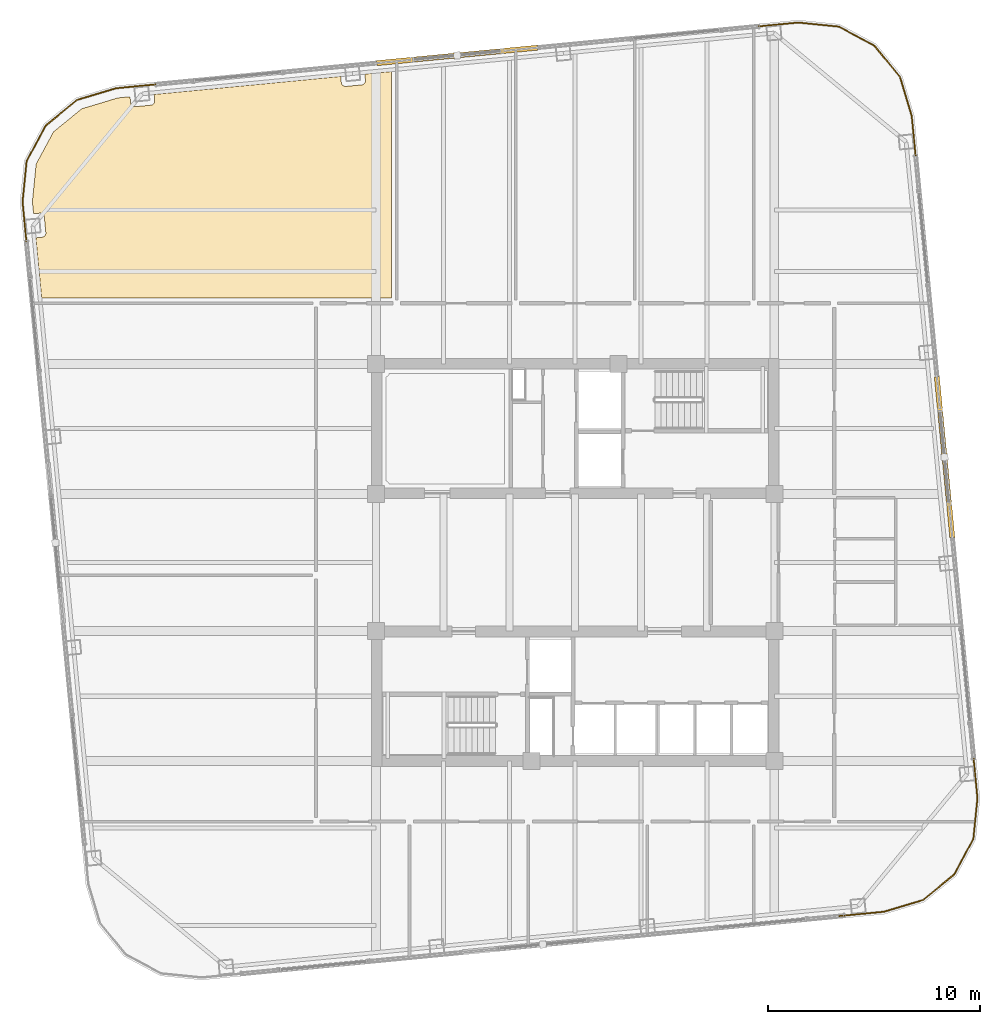
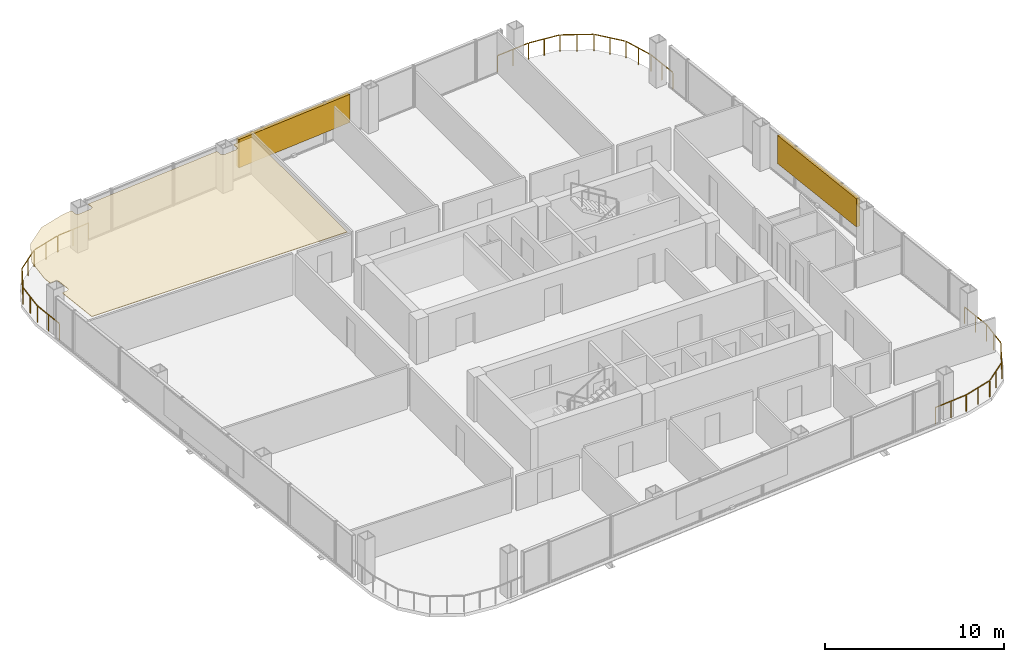
# One storey, part 22 of 22: 4 railings, 2 shading devices, 1 covering.
"""IFC4 building model written with IfcOpenShell, lengths in metres."""

import ifcopenshell
import ifcopenshell.guid

model = None  # the IFC model being written
_history = None  # IfcOwnerHistory: only IFC2X3 demands one
_inside = {}  # id of a spatial element -> (the spatial element, [elements in it])
_under = {}  # id of a project, library or spatial element -> (it, [spatial elements below it])
_declared = {}  # id of a project -> (the project, [libraries it declares])
_typed = {}  # id of a type object -> (the type object, [elements of that type])
_made_of = {}  # id of a material, layer set ... -> (it, [elements and type objects made of it])


def new_model(schema):
    """Start an empty IFC model of exactly this schema.

    Asked for "IFC4X3", IfcOpenShell would pick the latest addendum, in which some entities
    have other attributes; the version numbers below select the first issue.
    IFC2X3 requires an IfcOwnerHistory on every rooted entity: one is made here for all.
    """
    global model, _history
    if schema == "IFC4X3":
        model = ifcopenshell.file(schema_version=(4, 3, 0, 0))
    else:
        model = ifcopenshell.file(schema=schema)
    _inside.clear()
    _under.clear()
    _declared.clear()
    _typed.clear()
    _made_of.clear()
    _history = None
    if model.schema == "IFC2X3":
        org = make("IfcOrganization", Name="unknown")
        user = make(
            "IfcPersonAndOrganization",
            ThePerson=make("IfcPerson", FamilyName="unknown"),
            TheOrganization=org,
        )
        app = make(
            "IfcApplication",
            ApplicationDeveloper=org,
            Version="unknown",
            ApplicationFullName="unknown",
            ApplicationIdentifier="unknown",
        )
        _history = make(
            "IfcOwnerHistory",
            OwningUser=user,
            OwningApplication=app,
            ChangeAction="ADDED",
            CreationDate=0,
        )
    return model


def make(cls, **values):
    """One entity of the class cls with the attributes given. An attribute that is None is left unset."""
    return model.create_entity(
        cls, **{name: value for name, value in values.items() if value is not None}
    )


def rooted(cls, **values):
    """An entity with a GlobalId (a new one), such as an element, a storey or a relation."""
    return make(cls, GlobalId=ifcopenshell.guid.new(), OwnerHistory=_history, **values)


def si_unit(unit_type, name, prefix=None):
    """IfcSIUnit, for example si_unit("LENGTHUNIT", "METRE", prefix="MILLI")."""
    return make("IfcSIUnit", UnitType=unit_type, Prefix=prefix, Name=name)


def assignment(units):
    """IfcUnitAssignment: the units of a project."""
    return None if units is None else make("IfcUnitAssignment", Units=units)


def point(xyz):
    """IfcCartesianPoint."""
    return None if xyz is None else make("IfcCartesianPoint", Coordinates=xyz)


def direction(xyz):
    """IfcDirection."""
    return None if xyz is None else make("IfcDirection", DirectionRatios=xyz)


def frame(location, z_axis=None, x_axis=None):
    """IfcAxis2Placement3D, a coordinate frame: its origin and axes. An axis left out is left unset."""
    return make(
        "IfcAxis2Placement3D",
        Location=point(location),
        Axis=direction(z_axis),
        RefDirection=direction(x_axis),
    )


def frame_2d(location, x_axis=None):
    """IfcAxis2Placement2D, a coordinate frame in the plane: its origin and x axis."""
    return make(
        "IfcAxis2Placement2D", Location=point(location), RefDirection=direction(x_axis)
    )


def origin():
    """The frame at (0, 0, 0) with its axes left unset."""
    return frame((0.0, 0.0, 0.0))


def origin_2d():
    """The frame at (0, 0) in the plane with its x axis left unset."""
    return frame_2d((0.0, 0.0))


def place(relative_to, where):
    """IfcLocalPlacement: puts the frame where relative to a parent placement (None: the world)."""
    return make(
        "IfcLocalPlacement", PlacementRelTo=relative_to, RelativePlacement=where
    )


def context(
    kind, dimensions, precision=None, world=None, true_north=None, identifier=None
):
    """IfcGeometricRepresentationContext, for example the 3D "Model" context."""
    return make(
        "IfcGeometricRepresentationContext",
        ContextIdentifier=identifier,
        ContextType=kind,
        CoordinateSpaceDimension=dimensions,
        Precision=precision,
        WorldCoordinateSystem=world,
        TrueNorth=true_north,
    )


def subcontext(parent, identifier, kind, view, scale=None):
    """IfcGeometricRepresentationSubContext, for example "Body" below "Model"."""
    return make(
        "IfcGeometricRepresentationSubContext",
        ContextIdentifier=identifier,
        ContextType=kind,
        ParentContext=parent,
        TargetScale=scale,
        TargetView=view,
    )


def project(units=None, contexts=None):
    """IfcProject with its units and contexts."""
    return rooted(
        "IfcProject",
        Name="project",
        RepresentationContexts=contexts,
        UnitsInContext=assignment(units),
    )


def spatial(cls, under=None, at=None, **own):
    """A site, building, storey or space (cls), placed at a placement, below another one or the project."""
    s = rooted(cls, ObjectPlacement=at, **own)
    if under is not None:
        _under.setdefault(under.id(), (under, []))[1].append(s)
    return s


def polyline(points):
    """IfcPolyline through the points."""
    return make("IfcPolyline", Points=[point(p) for p in points])


def profile(cls, at=None, kind="AREA", **sizes):
    """A parametric profile (cls). Its sizes go by their IFC names, for example OverallWidth=200.0."""
    return make(cls, ProfileType=kind, Position=at, **sizes)


def rectangle(**sizes):
    """IfcRectangleProfileDef."""
    return profile("IfcRectangleProfileDef", **sizes)


def outline(outer, holes=None, kind="AREA"):
    """IfcArbitraryClosedProfileDef: a profile drawn as a closed curve; with holes, ...WithVoids."""
    if holes is None:
        return make("IfcArbitraryClosedProfileDef", ProfileType=kind, OuterCurve=outer)
    return make(
        "IfcArbitraryProfileDefWithVoids",
        ProfileType=kind,
        OuterCurve=outer,
        InnerCurves=holes,
    )


def extrude(swept, where, along, depth):
    """IfcExtrudedAreaSolid: the profile swept, set in the frame where, extruded along a direction by depth."""
    return make(
        "IfcExtrudedAreaSolid",
        SweptArea=swept,
        Position=where,
        ExtrudedDirection=direction(along),
        Depth=depth,
    )


def shape(context_of_items, identifier, shape_type, items):
    """IfcShapeRepresentation: the items that make up one representation, for example the "Body"."""
    return make(
        "IfcShapeRepresentation",
        ContextOfItems=context_of_items,
        RepresentationIdentifier=identifier,
        RepresentationType=shape_type,
        Items=items,
    )


def material(Name=None, Category=None):
    """IfcMaterial."""
    return make("IfcMaterial", Name=Name, Category=Category)


def layer(
    of_material, thickness, ventilated=None, Name=None, Category=None, Priority=None
):
    """IfcMaterialLayer: one layer of a wall or slab, of a material (None: an air gap)."""
    return make(
        "IfcMaterialLayer",
        Material=of_material,
        LayerThickness=thickness,
        IsVentilated=ventilated,
        Name=Name,
        Category=Category,
        Priority=Priority,
    )


def layer_set(layers, Name=None):
    """IfcMaterialLayerSet."""
    return make("IfcMaterialLayerSet", MaterialLayers=layers, LayerSetName=Name)


def made_of(thing, what):
    """Note that an element or type object is made of a material, layer set ...; save() writes the relation."""
    if what is not None:
        _made_of.setdefault(what.id(), (what, []))[1].append(thing)
    return thing


def type_object(cls, material=None, **own):
    """A type object (cls), such as IfcWallType, which elements share."""
    return made_of(rooted(cls, **own), material)


def element(
    cls,
    number,
    at=None,
    inside=None,
    cuts=None,
    type_object=None,
    material=None,
    context=None,
    identifier="Body",
    shape_type=None,
    held_by="IfcProductDefinitionShape",
    body=None,
    shapes=None,
    **own,
):
    """One element of the class cls, such as IfcWall. Its Tag is "e" and its number.

    at: its placement. inside: the storey or other place that contains it. cuts: it is an
    opening in that element (IfcRelVoidsElement). A single representation is given by context,
    identifier, shape_type and body (its items); several are given by shapes. held_by: the class
    of the entity that holds the representations. save() writes the other relations.
    """
    e = rooted(cls, Tag="e%d" % number, ObjectPlacement=at, **own)
    if body is not None:
        shapes = [shape(context, identifier, shape_type, body)]
    if shapes is not None:
        e.Representation = make(held_by, Representations=shapes)
    if inside is not None:
        _inside.setdefault(inside.id(), (inside, []))[1].append(e)
    if cuts is not None:
        rooted(
            "IfcRelVoidsElement", RelatingBuildingElement=cuts, RelatedOpeningElement=e
        )
    if type_object is not None:
        _typed.setdefault(type_object.id(), (type_object, []))[1].append(e)
    return made_of(e, material)


def aggregate(whole, parts):
    """IfcRelAggregates: a whole, such as a stair, and the parts it consists of."""
    return rooted("IfcRelAggregates", RelatingObject=whole, RelatedObjects=parts)


def save(model, path):
    """Write the relations noted so far, then the file.

    IfcRelAggregates (storeys below a building ...), IfcRelContainedInSpatialStructure (elements
    in a storey), IfcRelDefinesByType, IfcRelAssociatesMaterial and IfcRelDeclares: one each for
    every whole, place, type object, material and project.
    """
    for whole, parts in _under.values():
        aggregate(whole, parts)
    for where, things in _inside.values():
        rooted(
            "IfcRelContainedInSpatialStructure",
            RelatedElements=things,
            RelatingStructure=where,
        )
    for kind, things in _typed.values():
        rooted("IfcRelDefinesByType", RelatedObjects=things, RelatingType=kind)
    for what, things in _made_of.values():
        rooted("IfcRelAssociatesMaterial", RelatedObjects=things, RelatingMaterial=what)
    for by, libraries in _declared.values():
        rooted("IfcRelDeclares", RelatingContext=by, RelatedDefinitions=libraries)
    model.write(path)


model = new_model("IFC4")

# Units and contexts
model_context = context("Model", 3, precision=1e-05, world=origin(), true_north=direction((0.0, 1.0)))
body_context = subcontext(model_context, "Body", "Model", "MODEL_VIEW")
ifc_project = project(units=[si_unit("LENGTHUNIT", "METRE"), si_unit("AREAUNIT", "SQUARE_METRE"), si_unit("VOLUMEUNIT", "CUBIC_METRE"), si_unit("PLANEANGLEUNIT", "RADIAN"), si_unit("MASSUNIT", "GRAM", prefix="KILO")], contexts=[model_context])

# Site, building, storey
site_placement = place(None, origin())
site = spatial("IfcSite", under=ifc_project, at=site_placement, CompositionType="ELEMENT")
building_placement = place(site_placement, origin())
building = spatial("IfcBuilding", under=site, at=building_placement, Name="Qhalaya Broadcast Tower", CompositionType="ELEMENT")
storey_placement = place(building_placement, frame((0.0, 0.0, 171.39990234375)))
storey = spatial("IfcBuildingStorey", under=building, at=storey_placement, Name="L50", CompositionType="ELEMENT", Elevation=171.39990234375)

# Covering
ifc_material_1 = material(Name="Acoustic Mineral-Fibre Ceiling")
ifc_layer = layer(ifc_material_1, 0.0400390625, Name="Acoustic Mineral-Fibre Ceiling")
ifc_layer_set = layer_set([ifc_layer], Name="Acoustic Mineral-Fibre Ceiling")
covering_type = type_object("IfcCoveringType", Name="Acoustic Mineral-Fibre Suspended Ceiling CLG-01", PredefinedType="CEILING", material=ifc_layer_set)
covering_placement = place(storey_placement, frame((0.0, 0.0, 2.7900390625)))
element("IfcCovering", 1, at=covering_placement, inside=storey, type_object=covering_type, Name="L50 Acoustic Suspended Ceiling 02", PredefinedType="CEILING", context=body_context, shape_type="SweptSolid", body=[
    extrude(outline(polyline([(-25.3935546875, 15.88232421875), (-25.12158203125, 13.06005859375), (-8.659912109375, 13.06005859375), (-8.659912109375, 23.712158203125), (-9.904541015625, 23.59228515625), (-9.876708984375, 23.3037109375), (-9.875732421875, 23.2841796875), (-9.876708984375, 23.264404296875), (-9.879638671875, 23.2451171875), (-9.884521484375, 23.22607421875), (-9.89111328125, 23.20751953125), (-9.899658203125, 23.18994140625), (-9.90966796875, 23.173095703125), (-9.92138671875, 23.1572265625), (-9.934814453125, 23.142822265625), (-9.94921875, 23.129638671875), (-9.965087890625, 23.117919921875), (-9.98193359375, 23.10791015625), (-9.99951171875, 23.099609375), (-10.01806640625, 23.093017578125), (-10.037109375, 23.08837890625), (-10.056640625, 23.08544921875), (-10.793212890625, 23.014404296875), (-10.812744140625, 23.013427734375), (-10.83251953125, 23.014404296875), (-10.851806640625, 23.017333984375), (-10.870849609375, 23.022216796875), (-10.889404296875, 23.02880859375), (-10.906982421875, 23.037353515625), (-10.923828125, 23.04736328125), (-10.939697265625, 23.05908203125), (-10.9541015625, 23.072509765625), (-10.96728515625, 23.0869140625), (-10.97900390625, 23.102783203125), (-10.989013671875, 23.11962890625), (-10.997314453125, 23.137451171875), (-11.00390625, 23.15576171875), (-11.008544921875, 23.1748046875), (-11.011474609375, 23.1943359375), (-11.039306640625, 23.483154296875), (-19.8251953125, 22.636962890625), (-19.797607421875, 22.348388671875), (-19.796630859375, 22.328857421875), (-19.797607421875, 22.30908203125), (-19.800537109375, 22.289794921875), (-19.805419921875, 22.270751953125), (-19.81201171875, 22.252197265625), (-19.8203125, 22.234619140625), (-19.83056640625, 22.2177734375), (-19.84228515625, 22.201904296875), (-19.85546875, 22.1875), (-19.8701171875, 22.17431640625), (-19.8857421875, 22.16259765625), (-19.902587890625, 22.152587890625), (-19.92041015625, 22.144287109375), (-19.93896484375, 22.1376953125), (-19.9580078125, 22.133056640625), (-19.977294921875, 22.130126953125), (-20.714111328125, 22.05908203125), (-20.733642578125, 22.05810546875), (-20.753173828125, 22.05908203125), (-20.772705078125, 22.06201171875), (-20.791748046875, 22.06689453125), (-20.81005859375, 22.073486328125), (-20.827880859375, 22.08203125), (-20.8447265625, 22.092041015625), (-20.8603515625, 22.10400390625), (-20.875, 22.1171875), (-20.88818359375, 22.131591796875), (-20.899658203125, 22.1474609375), (-20.909912109375, 22.164306640625), (-20.918212890625, 22.18212890625), (-20.9248046875, 22.200439453125), (-20.929443359375, 22.219482421875), (-20.932373046875, 22.239013671875), (-20.960205078125, 22.527587890625), (-21.5302734375, 22.472900390625), (-23.2333984375, 21.960205078125), (-24.5654296875, 20.8720703125), (-25.379638671875, 19.356689453125), (-25.5576171875, 17.58740234375), (-25.502685546875, 17.01708984375), (-25.214111328125, 17.044921875), (-25.194580078125, 17.0458984375), (-25.175048828125, 17.044921875), (-25.155517578125, 17.0419921875), (-25.136474609375, 17.037109375), (-25.1181640625, 17.030517578125), (-25.100341796875, 17.02197265625), (-25.08349609375, 17.011962890625), (-25.06787109375, 17.0), (-25.05322265625, 16.98681640625), (-25.0400390625, 16.972412109375), (-25.028564453125, 16.95654296875), (-25.018310546875, 16.939697265625), (-25.010009765625, 16.922119140625), (-25.00341796875, 16.903564453125), (-24.998779296875, 16.884521484375), (-24.995849609375, 16.864990234375), (-24.9248046875, 16.12841796875), (-24.924072265625, 16.10888671875), (-24.925048828125, 16.089111328125), (-24.927978515625, 16.06982421875), (-24.9326171875, 16.05078125), (-24.939453125, 16.0322265625), (-24.94775390625, 16.0146484375), (-24.9580078125, 15.997802734375), (-24.9697265625, 15.98193359375), (-24.98291015625, 15.967529296875), (-24.997314453125, 15.954345703125), (-25.01318359375, 15.942626953125), (-25.030029296875, 15.9326171875), (-25.0478515625, 15.92431640625), (-25.06640625, 15.917724609375), (-25.08544921875, 15.9130859375), (-25.104736328125, 15.91015625), (-25.3935546875, 15.88232421875)])), origin(), (0.0, 0.0, 1.0), 0.0400390625),
])

# Railings
ifc_material_2 = material(Name="Powder-Coated Galvanised Steel", Category="steel")
railing_type = type_object("IfcRailingType", Name="Terrace, Sky-Pool & Lookout Glass Balustrade 1150", PredefinedType="BALUSTRADE", material=ifc_material_2)
railing_1_placement = place(storey_placement, frame((14.53955078125, -15.846435546875, 0.0)))
element("IfcRailing", 2, at=railing_1_placement, inside=storey, type_object=railing_type, Name="L50 Rounded Corner Perimeter Guard 01", PredefinedType="BALUSTRADE", context=body_context, shape_type="SweptSolid", body=[
    extrude(rectangle(XDim=0.048095703125, YDim=0.048095703125, at=origin_2d()), frame((0.0, 0.0, 1.1259765625), z_axis=(-0.995402268864, -0.095782687057, 0.0), x_axis=(0.095782687057, -0.995402268864, 0.0)), (0.0, 0.0, 1.0), 2.1181640625),
    extrude(rectangle(XDim=0.0419921875, YDim=0.0419921875, at=origin_2d()), origin(), (0.0, 0.0, 1.0), 1.099853515625),
    extrude(rectangle(XDim=0.0419921875, YDim=0.0419921875, at=origin_2d()), frame((-1.05419921875, -0.1015625, 0.0)), (0.0, 0.0, 1.0), 1.099853515625),
    extrude(rectangle(XDim=0.0419921875, YDim=0.0419921875, at=origin_2d()), frame((-2.1083984375, -0.202880859375, 0.0)), (0.0, 0.0, 1.0), 1.099853515625),
])
railing_2_placement = place(storey_placement, frame((-25.81689453125, 15.479736328125, 0.0)))
element("IfcRailing", 3, at=railing_2_placement, inside=storey, type_object=railing_type, Name="L50 Rounded Corner Perimeter Guard 03", PredefinedType="BALUSTRADE", context=body_context, shape_type="SweptSolid", body=[
    extrude(rectangle(XDim=0.048095703125, YDim=0.048095703125, at=origin_2d()), frame((0.0, 0.0, 1.1259765625), z_axis=(-0.095896889673, 0.995391273094, 0.0), x_axis=(-0.995391273094, -0.095896889673, 0.0)), (0.0, 0.0, 1.0), 2.08935546875),
    extrude(rectangle(XDim=0.048095703125, YDim=0.048095703125, at=origin_2d()), frame((-0.2001953125, 2.13720703125, 1.1259765625), z_axis=(0.100185175984, 0.994968808814, 0.0), x_axis=(-0.994968808814, 0.100185175984, 0.0)), (0.0, 0.0, 1.0), 1.857666015625),
    extrude(rectangle(XDim=0.048095703125, YDim=0.048095703125, at=origin_2d()), frame((0.00244140625, 4.03955078125, 1.1259765625), z_axis=(0.473342342286, 0.880878554058, 0.0), x_axis=(-0.880878554058, 0.473342342286, 0.0)), (0.0, 0.0, 1.0), 1.845458984375),
    extrude(rectangle(XDim=0.048095703125, YDim=0.048095703125, at=origin_2d()), frame((0.912109375, 5.708984375, 1.1259765625), z_axis=(0.774368685352, 0.632734651451, 0.0), x_axis=(-0.632734651451, 0.774368685352, 0.0)), (0.0, 0.0, 1.0), 1.84521484375),
    extrude(rectangle(XDim=0.048095703125, YDim=0.048095703125, at=origin_2d()), frame((2.390869140625, 6.903076171875, 1.1259765625), z_axis=(0.957576860039, 0.288177995547, 0.0), x_axis=(-0.288177995547, 0.957576860039, 0.0)), (0.0, 0.0, 1.0), 1.857666015625),
    extrude(rectangle(XDim=0.048095703125, YDim=0.048095703125, at=origin_2d()), frame((4.226318359375, 7.449462890625, 1.1259765625), z_axis=(0.995402268864, 0.095782687057, 0.0), x_axis=(-0.095782687057, 0.995402268864, 0.0)), (0.0, 0.0, 1.0), 2.08935546875),
    extrude(rectangle(XDim=0.0419921875, YDim=0.0419921875, at=origin_2d()), origin(), (0.0, 0.0, 1.0), 1.099853515625),
    extrude(rectangle(XDim=0.0419921875, YDim=0.0419921875, at=origin_2d()), frame((-0.1015625, 1.05419921875, 0.0)), (0.0, 0.0, 1.0), 1.099853515625),
    extrude(rectangle(XDim=0.0419921875, YDim=0.0419921875, at=origin_2d()), frame((-0.203125, 2.1083984375, 0.0)), (0.0, 0.0, 1.0), 1.099853515625),
    extrude(rectangle(XDim=0.0419921875, YDim=0.0419921875, at=origin_2d()), frame((-0.107177734375, 3.061279296875, 0.0)), (0.0, 0.0, 1.0), 1.099853515625),
    extrude(rectangle(XDim=0.0419921875, YDim=0.0419921875, at=origin_2d()), frame((-0.01123046875, 4.01416015625, 0.0)), (0.0, 0.0, 1.0), 1.099853515625),
    extrude(rectangle(XDim=0.0419921875, YDim=0.0419921875, at=origin_2d()), frame((0.439208984375, 4.8525390625, 0.0)), (0.0, 0.0, 1.0), 1.099853515625),
    extrude(rectangle(XDim=0.0419921875, YDim=0.0419921875, at=origin_2d()), frame((0.8896484375, 5.690673828125, 0.0)), (0.0, 0.0, 1.0), 1.099853515625),
    extrude(rectangle(XDim=0.0419921875, YDim=0.0419921875, at=origin_2d()), frame((1.62646484375, 6.292724609375, 0.0)), (0.0, 0.0, 1.0), 1.099853515625),
    extrude(rectangle(XDim=0.0419921875, YDim=0.0419921875, at=origin_2d()), frame((2.36328125, 6.894775390625, 0.0)), (0.0, 0.0, 1.0), 1.099853515625),
    extrude(rectangle(XDim=0.0419921875, YDim=0.0419921875, at=origin_2d()), frame((3.2802734375, 7.1708984375, 0.0)), (0.0, 0.0, 1.0), 1.099853515625),
    extrude(rectangle(XDim=0.0419921875, YDim=0.0419921875, at=origin_2d()), frame((4.197509765625, 7.44677734375, 0.0)), (0.0, 0.0, 1.0), 1.099853515625),
    extrude(rectangle(XDim=0.0419921875, YDim=0.0419921875, at=origin_2d()), frame((5.251708984375, 7.54833984375, 0.0)), (0.0, 0.0, 1.0), 1.099853515625),
    extrude(rectangle(XDim=0.0419921875, YDim=0.0419921875, at=origin_2d()), frame((6.305908203125, 7.649658203125, 0.0)), (0.0, 0.0, 1.0), 1.099853515625),
])
railing_3_placement = place(storey_placement, frame((8.39990234375, 25.81689453125, 0.0)))
element("IfcRailing", 4, at=railing_3_placement, inside=storey, type_object=railing_type, Name="L50 Rounded Corner Perimeter Guard 04", PredefinedType="BALUSTRADE", context=body_context, shape_type="SweptSolid", body=[
    extrude(rectangle(XDim=0.048095703125, YDim=0.048095703125, at=origin_2d()), frame((0.0, 0.0, 1.1259765625), z_axis=(0.995391273094, 0.095896889673, 0.0), x_axis=(-0.095896889673, 0.995391273094, 0.0)), (0.0, 0.0, 1.0), 2.08935546875),
    extrude(rectangle(XDim=0.048095703125, YDim=0.048095703125, at=origin_2d()), frame((2.13720703125, 0.2001953125, 1.1259765625), z_axis=(0.994967529225, -0.100197883148, 0.0), x_axis=(0.100197883148, 0.994967529225, 0.0)), (0.0, 0.0, 1.0), 1.857421875),
    extrude(rectangle(XDim=0.048095703125, YDim=0.048095703125, at=origin_2d()), frame((4.039306640625, -0.00244140625, 1.1259765625), z_axis=(0.880878554058, -0.473342342286, 0.0), x_axis=(0.473342342286, 0.880878554058, 0.0)), (0.0, 0.0, 1.0), 1.845458984375),
    extrude(rectangle(XDim=0.048095703125, YDim=0.048095703125, at=origin_2d()), frame((5.708740234375, -0.912109375, 1.1259765625), z_axis=(0.632734651451, -0.774368685352, 0.0), x_axis=(0.774368685352, 0.632734651451, 0.0)), (0.0, 0.0, 1.0), 1.84521484375),
    extrude(rectangle(XDim=0.048095703125, YDim=0.048095703125, at=origin_2d()), frame((6.90283203125, -2.390869140625, 1.1259765625), z_axis=(0.288177995547, -0.957576860039, 0.0), x_axis=(0.957576860039, 0.288177995547, 0.0)), (0.0, 0.0, 1.0), 1.857666015625),
    extrude(rectangle(XDim=0.048095703125, YDim=0.048095703125, at=origin_2d()), frame((7.44921875, -4.226318359375, 1.1259765625), z_axis=(0.095782687057, -0.995402268864, 0.0), x_axis=(0.995402268864, 0.095782687057, 0.0)), (0.0, 0.0, 1.0), 2.08935546875),
    extrude(rectangle(XDim=0.0419921875, YDim=0.0419921875, at=origin_2d()), origin(), (0.0, 0.0, 1.0), 1.099853515625),
    extrude(rectangle(XDim=0.0419921875, YDim=0.0419921875, at=origin_2d()), frame((1.05419921875, 0.1015625, 0.0)), (0.0, 0.0, 1.0), 1.099853515625),
    extrude(rectangle(XDim=0.0419921875, YDim=0.0419921875, at=origin_2d()), frame((2.1083984375, 0.203125, 0.0)), (0.0, 0.0, 1.0), 1.099853515625),
    extrude(rectangle(XDim=0.0419921875, YDim=0.0419921875, at=origin_2d()), frame((3.06103515625, 0.107177734375, 0.0)), (0.0, 0.0, 1.0), 1.099853515625),
    extrude(rectangle(XDim=0.0419921875, YDim=0.0419921875, at=origin_2d()), frame((4.013916015625, 0.01123046875, 0.0)), (0.0, 0.0, 1.0), 1.099853515625),
    extrude(rectangle(XDim=0.0419921875, YDim=0.0419921875, at=origin_2d()), frame((4.85205078125, -0.439208984375, 0.0)), (0.0, 0.0, 1.0), 1.099853515625),
    extrude(rectangle(XDim=0.0419921875, YDim=0.0419921875, at=origin_2d()), frame((5.6904296875, -0.8896484375, 0.0)), (0.0, 0.0, 1.0), 1.099853515625),
    extrude(rectangle(XDim=0.0419921875, YDim=0.0419921875, at=origin_2d()), frame((6.29248046875, -1.62646484375, 0.0)), (0.0, 0.0, 1.0), 1.099853515625),
    extrude(rectangle(XDim=0.0419921875, YDim=0.0419921875, at=origin_2d()), frame((6.89453125, -2.36328125, 0.0)), (0.0, 0.0, 1.0), 1.099853515625),
    extrude(rectangle(XDim=0.0419921875, YDim=0.0419921875, at=origin_2d()), frame((7.17041015625, -3.2802734375, 0.0)), (0.0, 0.0, 1.0), 1.099853515625),
    extrude(rectangle(XDim=0.0419921875, YDim=0.0419921875, at=origin_2d()), frame((7.446533203125, -4.197509765625, 0.0)), (0.0, 0.0, 1.0), 1.099853515625),
    extrude(rectangle(XDim=0.0419921875, YDim=0.0419921875, at=origin_2d()), frame((7.5478515625, -5.251708984375, 0.0)), (0.0, 0.0, 1.0), 1.099853515625),
    extrude(rectangle(XDim=0.0419921875, YDim=0.0419921875, at=origin_2d()), frame((7.6494140625, -6.305908203125, 0.0)), (0.0, 0.0, 1.0), 1.099853515625),
])
railing_4_placement = place(storey_placement, frame((18.73681640625, -8.39990234375, 0.0)))
element("IfcRailing", 5, at=railing_4_placement, inside=storey, type_object=railing_type, Name="L50 Rounded Corner Perimeter Guard 05", PredefinedType="BALUSTRADE", context=body_context, shape_type="SweptSolid", body=[
    extrude(rectangle(XDim=0.048095703125, YDim=0.048095703125, at=origin_2d()), frame((0.0, 0.0, 1.1259765625), z_axis=(0.095896889673, -0.995391273094, 0.0), x_axis=(0.995391273094, 0.095896889673, 0.0)), (0.0, 0.0, 1.0), 2.08935546875),
    extrude(rectangle(XDim=0.048095703125, YDim=0.048095703125, at=origin_2d()), frame((0.2001953125, -2.13720703125, 1.1259765625), z_axis=(-0.100197883148, -0.994967529225, 0.0), x_axis=(0.994967529225, -0.100197883148, 0.0)), (0.0, 0.0, 1.0), 1.857421875),
    extrude(rectangle(XDim=0.048095703125, YDim=0.048095703125, at=origin_2d()), frame((-0.00244140625, -4.039306640625, 1.1259765625), z_axis=(-0.473242797018, -0.880932037714, 0.0), x_axis=(0.880932037714, -0.473242797018, 0.0)), (0.0, 0.0, 1.0), 1.845458984375),
    extrude(rectangle(XDim=0.048095703125, YDim=0.048095703125, at=origin_2d()), frame((-0.911865234375, -5.708740234375, 1.1259765625), z_axis=(-0.774420039683, -0.632671796541, 0.0), x_axis=(0.632671796541, -0.774420039683, 0.0)), (0.0, 0.0, 1.0), 1.845458984375),
    extrude(rectangle(XDim=0.048095703125, YDim=0.048095703125, at=origin_2d()), frame((-2.390869140625, -6.90283203125, 1.1259765625), z_axis=(-0.95756627332, -0.288213171456, 0.0), x_axis=(0.288213171456, -0.95756627332, 0.0)), (0.0, 0.0, 1.0), 1.886474609375),
    extrude(rectangle(XDim=0.0419921875, YDim=0.0419921875, at=origin_2d()), origin(), (0.0, 0.0, 1.0), 1.099853515625),
    extrude(rectangle(XDim=0.0419921875, YDim=0.0419921875, at=origin_2d()), frame((0.1015625, -1.05419921875, 0.0)), (0.0, 0.0, 1.0), 1.099853515625),
    extrude(rectangle(XDim=0.0419921875, YDim=0.0419921875, at=origin_2d()), frame((0.203125, -2.1083984375, 0.0)), (0.0, 0.0, 1.0), 1.099853515625),
    extrude(rectangle(XDim=0.0419921875, YDim=0.0419921875, at=origin_2d()), frame((0.107177734375, -3.06103515625, 0.0)), (0.0, 0.0, 1.0), 1.099853515625),
    extrude(rectangle(XDim=0.0419921875, YDim=0.0419921875, at=origin_2d()), frame((0.01123046875, -4.013916015625, 0.0)), (0.0, 0.0, 1.0), 1.099853515625),
    extrude(rectangle(XDim=0.0419921875, YDim=0.0419921875, at=origin_2d()), frame((-0.43896484375, -4.85205078125, 0.0)), (0.0, 0.0, 1.0), 1.099853515625),
    extrude(rectangle(XDim=0.0419921875, YDim=0.0419921875, at=origin_2d()), frame((-0.889404296875, -5.6904296875, 0.0)), (0.0, 0.0, 1.0), 1.099853515625),
    extrude(rectangle(XDim=0.0419921875, YDim=0.0419921875, at=origin_2d()), frame((-1.62646484375, -6.29248046875, 0.0)), (0.0, 0.0, 1.0), 1.099853515625),
    extrude(rectangle(XDim=0.0419921875, YDim=0.0419921875, at=origin_2d()), frame((-2.36328125, -6.89453125, 0.0)), (0.0, 0.0, 1.0), 1.099853515625),
    extrude(rectangle(XDim=0.0419921875, YDim=0.0419921875, at=origin_2d()), frame((-3.2802734375, -7.17041015625, 0.0)), (0.0, 0.0, 1.0), 1.099853515625),
    extrude(rectangle(XDim=0.0419921875, YDim=0.0419921875, at=origin_2d()), frame((-4.197265625, -7.446533203125, 0.0)), (0.0, 0.0, 1.0), 1.099853515625),
])

# Shading devices
ifc_material_3 = material(Name="Fired Architectural Terracotta", Category="masonry")
shading_device_type = type_object("IfcShadingDeviceType", Name="Terracotta Baguette Solar Screen Assembly TBS-01", PredefinedType="USERDEFINED", material=ifc_material_3)
for number, where, z_axis, x_axis, name in (
    (6, (17.393310546875, 5.5556640625, 0.79248046875), (0.0, 0.0, 1.0), (-0.09584575252, 0.995396198367, 0.0), "L50 Fired Terracotta Baguette Screen E"),
    (7, (-5.5556640625, 24.47314453125, 0.79248046875), (0.0, 0.0, 1.0), (-0.995396198367, -0.09584575252, 0.0), "L50 Fired Terracotta Baguette Screen N"),
):
    element("IfcShadingDevice", number, at=place(storey_placement, frame(where, z_axis=z_axis, x_axis=x_axis)), inside=storey, type_object=shading_device_type, Name=name, ObjectType="BAGUETTE", PredefinedType="USERDEFINED", context=body_context, shape_type="SweptSolid", body=[
        extrude(rectangle(XDim=7.60009765625, YDim=0.239990234375, at=origin_2d()), origin(), (0.0, 0.0, 1.0), 1.924072265625),
    ])

save(model, "model.ifc")
